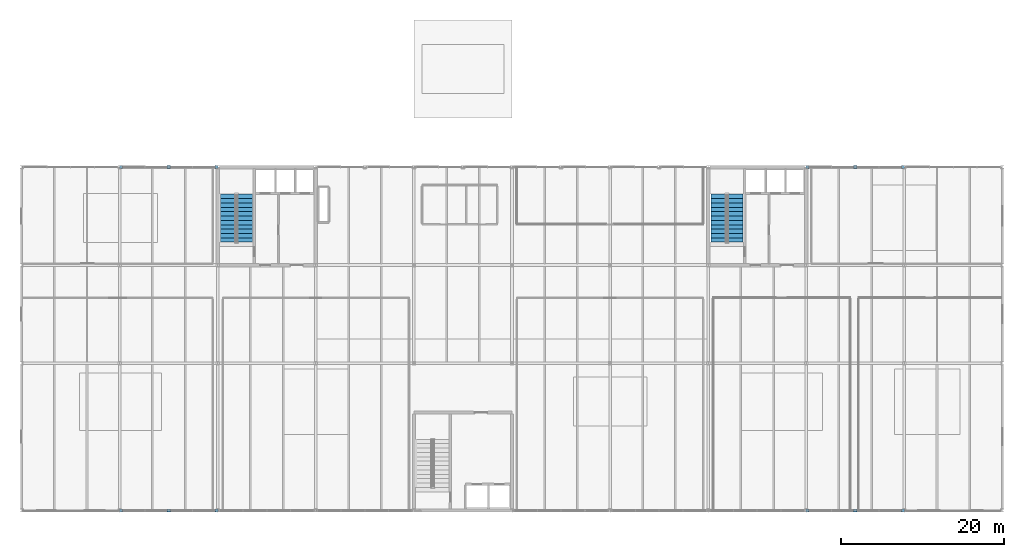
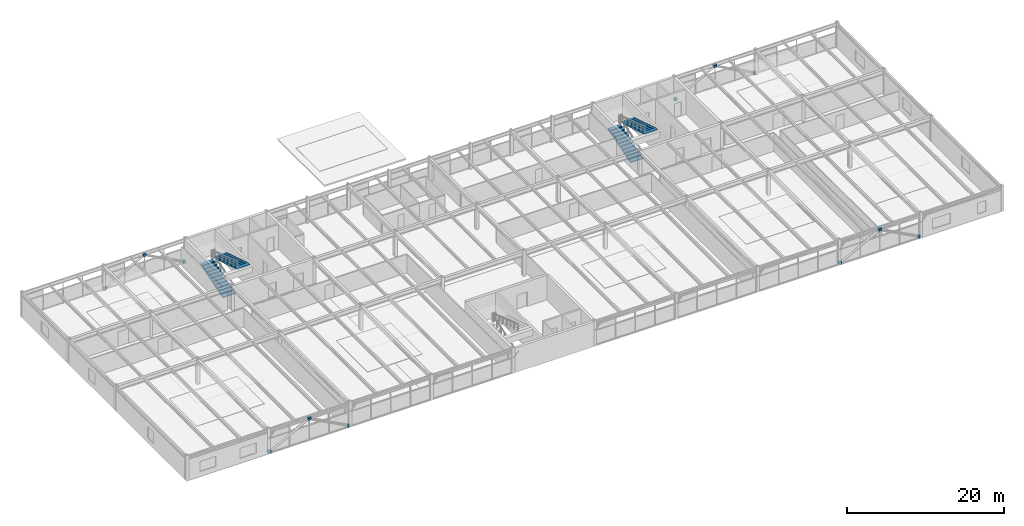
# One storey, part 44 of 49: 12 discrete accessories, 4 stair flights, 2 elements without a shape of their own.
"""IFC4 building model written with IfcOpenShell, lengths in metres."""

from ifc_helpers import new_model, si_unit, direction, frame, origin, origin_2d, place, context, subcontext, project, spatial, polyline, rectangle, outline, extrude, material, type_object, element, aggregate, save


model = new_model("IFC4")

# Units and contexts
model_context = context("Model", 3, precision=1e-05, world=origin(), true_north=direction((0.0, 1.0)))
body_context = subcontext(model_context, "Body", "Model", "MODEL_VIEW")
ifc_project = project(units=[si_unit("LENGTHUNIT", "METRE"), si_unit("AREAUNIT", "SQUARE_METRE"), si_unit("VOLUMEUNIT", "CUBIC_METRE"), si_unit("PLANEANGLEUNIT", "RADIAN"), si_unit("MASSUNIT", "GRAM", prefix="KILO")], contexts=[model_context])

# Site, building, storey
site_placement = place(None, origin())
site = spatial("IfcSite", under=ifc_project, at=site_placement, CompositionType="ELEMENT")
building_placement = place(site_placement, origin())
building = spatial("IfcBuilding", under=site, at=building_placement, Name="Girod Span Mobility Hub", CompositionType="ELEMENT")
storey_placement = place(building_placement, frame((0.0, 0.0, 37.60009765625)))
storey = spatial("IfcBuildingStorey", under=building, at=storey_placement, Name="L09", CompositionType="ELEMENT", Elevation=37.60009765625)

# Stair, stair flights
ifc_material_1 = material(Name="Concrete C40/50", Category="concrete")
stair_type = type_object("IfcStairType", Name="STR-4000-W1860", PredefinedType="HALF_TURN_STAIR", material=ifc_material_1)
stair_1_placement = place(storey_placement, origin())
stair_1 = element("IfcStair", 1, at=stair_1_placement, inside=storey, type_object=stair_type, Name="Exit Stair ST-1 L09", PredefinedType="HALF_TURN_STAIR")
ifc_material_2 = material(Name="Concrete C40/50", Category="concrete")
stair_flight_type = type_object("IfcStairFlightType", Name="STF-2000-W1860", PredefinedType="STRAIGHT", material=ifc_material_2)
stair_flight_1_placement = place(storey_placement, frame((49.25, 59.81005859375, 0.0), z_axis=(0.0, 0.0, 1.0), x_axis=(0.0, 1.0, 0.0)))
stair_flight_1 = element("IfcStairFlight", 2, at=stair_flight_1_placement, type_object=stair_flight_type, Name="Stair ST-1 Flight 1 L09", NumberOfRisers=12, NumberOfTreads=11, PredefinedType="STRAIGHT", RiserHeight=0.16667, TreadLength=0.53455, context=body_context, shape_type="SweptSolid", body=[
    extrude(outline(polyline([(0.0, 0.0), (0.0, 0.166748046875), (0.53466796875, 0.166748046875), (0.53466796875, 0.333251953125), (1.069091796875, 0.333251953125), (1.069091796875, 0.5), (1.603759765625, 0.5), (1.603759765625, 0.666748046875), (2.13818359375, 0.666748046875), (2.13818359375, 0.833251953125), (2.6728515625, 0.833251953125), (2.6728515625, 1.0), (3.207275390625, 1.0), (3.207275390625, 1.166748046875), (3.741943359375, 1.166748046875), (3.741943359375, 1.333251953125), (4.2763671875, 1.333251953125), (4.2763671875, 1.5), (4.81103515625, 1.5), (4.81103515625, 1.666748046875), (5.345458984375, 1.666748046875), (5.345458984375, 1.833251953125), (5.880126953125, 1.833251953125), (5.880126953125, 2.0), (5.880126953125, 1.634521484375), (0.63818359375, 0.0), (0.0, 0.0)])), frame((0.0, 0.93017578125, 0.0), z_axis=(0.0, -1.0, 0.0), x_axis=(1.0, 0.0, 0.0)), (0.0, 0.0, 1.0), 1.860107421875),
])
stair_flight_2_placement = place(storey_placement, frame((51.35009765625, 65.68994140625, 2.0), z_axis=(0.0, 0.0, 1.0), x_axis=(0.0, -1.0, 0.0)))
stair_flight_2 = element("IfcStairFlight", 3, at=stair_flight_2_placement, type_object=stair_flight_type, Name="Stair ST-1 Flight 2 L09", NumberOfRisers=12, NumberOfTreads=11, PredefinedType="STRAIGHT", RiserHeight=0.16667, TreadLength=0.53455, context=body_context, shape_type="SweptSolid", body=[
    extrude(outline(polyline([(0.0, 0.0), (0.0, 0.166748046875), (0.53466796875, 0.166748046875), (0.53466796875, 0.333251953125), (1.069091796875, 0.333251953125), (1.069091796875, 0.5), (1.603759765625, 0.5), (1.603759765625, 0.666748046875), (2.13818359375, 0.666748046875), (2.13818359375, 0.833251953125), (2.6728515625, 0.833251953125), (2.6728515625, 1.0), (3.207275390625, 1.0), (3.207275390625, 1.166748046875), (3.741943359375, 1.166748046875), (3.741943359375, 1.333251953125), (4.2763671875, 1.333251953125), (4.2763671875, 1.5), (4.81103515625, 1.5), (4.81103515625, 1.666748046875), (5.345458984375, 1.666748046875), (5.345458984375, 1.833251953125), (5.880126953125, 1.833251953125), (5.880126953125, 2.0), (5.880126953125, 1.634521484375), (0.63818359375, 0.0), (0.0, 0.0)])), frame((0.0, 0.93017578125, 0.0), z_axis=(0.0, -1.0, 0.0), x_axis=(1.0, 0.0, 0.0)), (0.0, 0.0, 1.0), 1.860107421875),
])
aggregate(stair_1, [stair_flight_1, stair_flight_2])

stair_2_placement = place(storey_placement, origin())
stair_2 = element("IfcStair", 4, at=stair_2_placement, inside=storey, type_object=stair_type, Name="Exit Stair ST-2 L09", PredefinedType="HALF_TURN_STAIR")
stair_flight_3_placement = place(storey_placement, frame((109.25, 59.81005859375, 0.0), z_axis=(0.0, 0.0, 1.0), x_axis=(0.0, 1.0, 0.0)))
stair_flight_3 = element("IfcStairFlight", 5, at=stair_flight_3_placement, type_object=stair_flight_type, Name="Stair ST-2 Flight 1 L09", NumberOfRisers=12, NumberOfTreads=11, PredefinedType="STRAIGHT", RiserHeight=0.16667, TreadLength=0.53455, context=body_context, shape_type="SweptSolid", body=[
    extrude(outline(polyline([(0.0, 0.0), (0.0, 0.166748046875), (0.53466796875, 0.166748046875), (0.53466796875, 0.333251953125), (1.069091796875, 0.333251953125), (1.069091796875, 0.5), (1.603759765625, 0.5), (1.603759765625, 0.666748046875), (2.13818359375, 0.666748046875), (2.13818359375, 0.833251953125), (2.6728515625, 0.833251953125), (2.6728515625, 1.0), (3.207275390625, 1.0), (3.207275390625, 1.166748046875), (3.741943359375, 1.166748046875), (3.741943359375, 1.333251953125), (4.2763671875, 1.333251953125), (4.2763671875, 1.5), (4.81103515625, 1.5), (4.81103515625, 1.666748046875), (5.345458984375, 1.666748046875), (5.345458984375, 1.833251953125), (5.880126953125, 1.833251953125), (5.880126953125, 2.0), (5.880126953125, 1.634521484375), (0.63818359375, 0.0), (0.0, 0.0)])), frame((0.0, 0.93017578125, 0.0), z_axis=(0.0, -1.0, 0.0), x_axis=(1.0, 0.0, 0.0)), (0.0, 0.0, 1.0), 1.860107421875),
])
stair_flight_4_placement = place(storey_placement, frame((111.35009765625, 65.68994140625, 2.0), z_axis=(0.0, 0.0, 1.0), x_axis=(0.0, -1.0, 0.0)))
stair_flight_4 = element("IfcStairFlight", 6, at=stair_flight_4_placement, type_object=stair_flight_type, Name="Stair ST-2 Flight 2 L09", NumberOfRisers=12, NumberOfTreads=11, PredefinedType="STRAIGHT", RiserHeight=0.16667, TreadLength=0.53455, context=body_context, shape_type="SweptSolid", body=[
    extrude(outline(polyline([(0.0, 0.0), (0.0, 0.166748046875), (0.53466796875, 0.166748046875), (0.53466796875, 0.333251953125), (1.069091796875, 0.333251953125), (1.069091796875, 0.5), (1.603759765625, 0.5), (1.603759765625, 0.666748046875), (2.13818359375, 0.666748046875), (2.13818359375, 0.833251953125), (2.6728515625, 0.833251953125), (2.6728515625, 1.0), (3.207275390625, 1.0), (3.207275390625, 1.166748046875), (3.741943359375, 1.166748046875), (3.741943359375, 1.333251953125), (4.2763671875, 1.333251953125), (4.2763671875, 1.5), (4.81103515625, 1.5), (4.81103515625, 1.666748046875), (5.345458984375, 1.666748046875), (5.345458984375, 1.833251953125), (5.880126953125, 1.833251953125), (5.880126953125, 2.0), (5.880126953125, 1.634521484375), (0.63818359375, 0.0), (0.0, 0.0)])), frame((0.0, 0.93017578125, 0.0), z_axis=(0.0, -1.0, 0.0), x_axis=(1.0, 0.0, 0.0)), (0.0, 0.0, 1.0), 1.860107421875),
])
aggregate(stair_2, [stair_flight_3, stair_flight_4])

# Discrete accessories
ifc_material_3 = material(Name="Steel HSS A500 Grade C", Category="steel")
discrete_accessory_type = type_object("IfcDiscreteAccessoryType", Name="ACC-CAP-HSS324", PredefinedType="BRACKET", material=ifc_material_3)
for number, where, z_axis, x_axis, name in (
    (7, (36.16845703125, 27.0, 0.0400390625), (0.0, 0.0, 1.0), (1.0, 0.0, 0.0), "Diagrid Brace End Cap Gusset 4/C-L L09"),
    (8, (47.83154296875, 27.0, 0.0400390625), (0.0, 0.0, 1.0), (1.0, 0.0, 0.0), "Diagrid Brace End Cap Gusset 4/C-R L09"),
):
    element("IfcDiscreteAccessory", number, at=place(storey_placement, frame(where, z_axis=z_axis, x_axis=x_axis)), inside=storey, type_object=discrete_accessory_type, Name=name, PredefinedType="BRACKET", context=body_context, shape_type="SweptSolid", body=[
        extrude(rectangle(XDim=0.35693359375, YDim=0.360107421875, at=origin_2d()), origin(), (0.0, 0.0, 1.0), 0.419921875),
    ])
discrete_accessory_1_placement = place(storey_placement, frame((42.0, 27.0, 3.19091796875), z_axis=(0.0, 0.0, 1.0), x_axis=(1.0, 0.0, 0.0)))
element("IfcDiscreteAccessory", 9, at=discrete_accessory_1_placement, inside=storey, type_object=discrete_accessory_type, Name="Diagrid Brace Apex End Cap Gusset 4/C-M L09", PredefinedType="BRACKET", context=body_context, shape_type="SweptSolid", body=[
    extrude(rectangle(XDim=0.43994140625, YDim=0.360107421875, at=origin_2d()), origin(), (0.0, 0.0, 1.0), 0.3798828125),
])
for number, where, z_axis, x_axis, name in (
    (10, (120.16845703125, 27.0, 0.0400390625), (0.0, 0.0, 1.0), (1.0, 0.0, 0.0), "Diagrid Brace End Cap Gusset 11/C-L L09"),
    (11, (131.83154296875, 27.0, 0.0400390625), (0.0, 0.0, 1.0), (1.0, 0.0, 0.0), "Diagrid Brace End Cap Gusset 11/C-R L09"),
):
    element("IfcDiscreteAccessory", number, at=place(storey_placement, frame(where, z_axis=z_axis, x_axis=x_axis)), inside=storey, type_object=discrete_accessory_type, Name=name, PredefinedType="BRACKET", context=body_context, shape_type="SweptSolid", body=[
        extrude(rectangle(XDim=0.35693359375, YDim=0.360107421875, at=origin_2d()), origin(), (0.0, 0.0, 1.0), 0.419921875),
    ])
discrete_accessory_2_placement = place(storey_placement, frame((126.0, 27.0, 3.19091796875), z_axis=(0.0, 0.0, 1.0), x_axis=(1.0, 0.0, 0.0)))
element("IfcDiscreteAccessory", 12, at=discrete_accessory_2_placement, inside=storey, type_object=discrete_accessory_type, Name="Diagrid Brace Apex End Cap Gusset 11/C-M L09", PredefinedType="BRACKET", context=body_context, shape_type="SweptSolid", body=[
    extrude(rectangle(XDim=0.43994140625, YDim=0.360107421875, at=origin_2d()), origin(), (0.0, 0.0, 1.0), 0.3798828125),
])
discrete_accessory_3_placement = place(storey_placement, frame((36.16845703125, 69.0, 0.0400390625), z_axis=(0.0, 0.0, 1.0), x_axis=(1.0, 0.0, 0.0)))
element("IfcDiscreteAccessory", 13, at=discrete_accessory_3_placement, inside=storey, type_object=discrete_accessory_type, Name="Diagrid Brace End Cap Gusset 4/F-L L09", PredefinedType="BRACKET", context=body_context, shape_type="SweptSolid", body=[
    extrude(rectangle(XDim=0.35693359375, YDim=0.360107421875, at=origin_2d()), origin(), (0.0, 0.0, 1.0), 0.419921875),
])
discrete_accessory_4_placement = place(storey_placement, frame((47.830078125, 69.0, 0.0400390625), z_axis=(0.0, 0.0, 1.0), x_axis=(1.0, 0.0, 0.0)))
element("IfcDiscreteAccessory", 14, at=discrete_accessory_4_placement, inside=storey, type_object=discrete_accessory_type, Name="Diagrid Brace End Cap Gusset 4/F-R L09", PredefinedType="BRACKET", context=body_context, shape_type="SweptSolid", body=[
    extrude(rectangle(XDim=0.359619140625, YDim=0.360107421875, at=origin_2d()), origin(), (0.0, 0.0, 1.0), 0.419921875),
])
discrete_accessory_5_placement = place(storey_placement, frame((42.0, 69.0, 3.19091796875), z_axis=(0.0, 0.0, 1.0), x_axis=(1.0, 0.0, 0.0)))
element("IfcDiscreteAccessory", 15, at=discrete_accessory_5_placement, inside=storey, type_object=discrete_accessory_type, Name="Diagrid Brace Apex End Cap Gusset 4/F-M L09", PredefinedType="BRACKET", context=body_context, shape_type="SweptSolid", body=[
    extrude(rectangle(XDim=0.43994140625, YDim=0.360107421875, at=origin_2d()), origin(), (0.0, 0.0, 1.0), 0.3798828125),
])
discrete_accessory_6_placement = place(storey_placement, frame((120.169677734375, 69.0, 0.0400390625), z_axis=(0.0, 0.0, 1.0), x_axis=(1.0, 0.0, 0.0)))
element("IfcDiscreteAccessory", 16, at=discrete_accessory_6_placement, inside=storey, type_object=discrete_accessory_type, Name="Diagrid Brace End Cap Gusset 11/F-L L09", PredefinedType="BRACKET", context=body_context, shape_type="SweptSolid", body=[
    extrude(rectangle(XDim=0.359619140625, YDim=0.360107421875, at=origin_2d()), origin(), (0.0, 0.0, 1.0), 0.419921875),
])
discrete_accessory_7_placement = place(storey_placement, frame((131.83154296875, 69.0, 0.0400390625), z_axis=(0.0, 0.0, 1.0), x_axis=(1.0, 0.0, 0.0)))
element("IfcDiscreteAccessory", 17, at=discrete_accessory_7_placement, inside=storey, type_object=discrete_accessory_type, Name="Diagrid Brace End Cap Gusset 11/F-R L09", PredefinedType="BRACKET", context=body_context, shape_type="SweptSolid", body=[
    extrude(rectangle(XDim=0.35693359375, YDim=0.360107421875, at=origin_2d()), origin(), (0.0, 0.0, 1.0), 0.419921875),
])
discrete_accessory_8_placement = place(storey_placement, frame((126.0, 69.0, 3.19091796875), z_axis=(0.0, 0.0, 1.0), x_axis=(1.0, 0.0, 0.0)))
element("IfcDiscreteAccessory", 18, at=discrete_accessory_8_placement, inside=storey, type_object=discrete_accessory_type, Name="Diagrid Brace Apex End Cap Gusset 11/F-M L09", PredefinedType="BRACKET", context=body_context, shape_type="SweptSolid", body=[
    extrude(rectangle(XDim=0.43994140625, YDim=0.360107421875, at=origin_2d()), origin(), (0.0, 0.0, 1.0), 0.3798828125),
])

save(model, "model.ifc")
